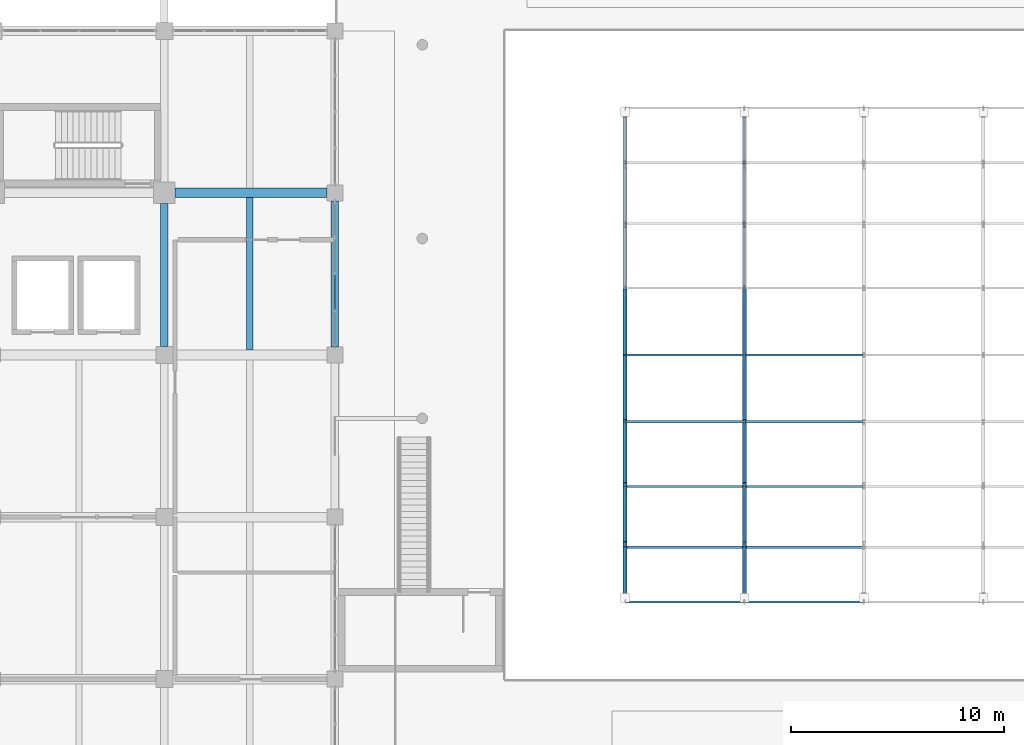
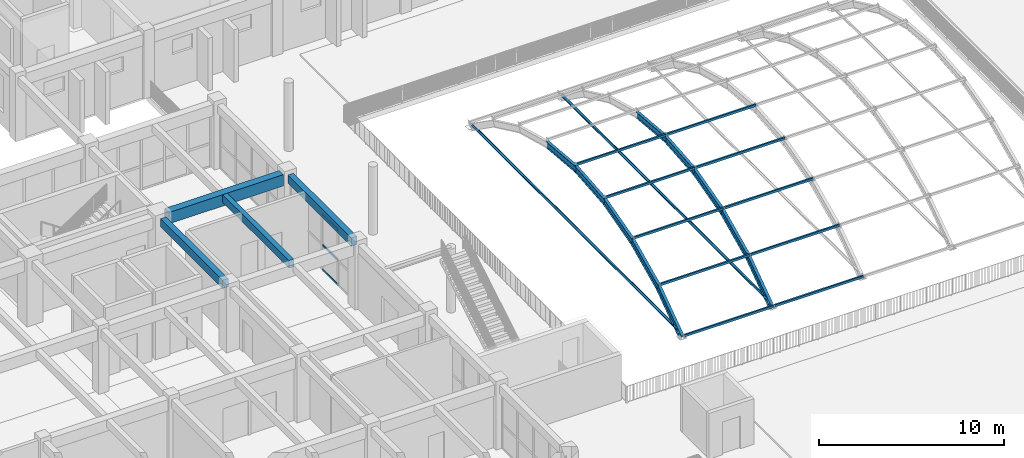
# One storey, part 37 of 79: 15 members, 14 beams, 1 element without a shape of its own.
"""IFC4 building model written with IfcOpenShell, lengths in metres."""

from ifc_helpers import new_model, si_unit, direction, frame, origin, origin_2d, place, context, subcontext, project, spatial, rectangle, hollow_rectangle, hollow_circle, i_section, extrude, material, material_profile, profile_set, type_object, element, aggregate, save


model = new_model("IFC4")

# Units and contexts
model_context = context("Model", 3, precision=1e-05, world=origin(), true_north=direction((0.0, 1.0)))
body_context = subcontext(model_context, "Body", "Model", "MODEL_VIEW")
ifc_project = project(units=[si_unit("LENGTHUNIT", "METRE"), si_unit("AREAUNIT", "SQUARE_METRE"), si_unit("VOLUMEUNIT", "CUBIC_METRE"), si_unit("PLANEANGLEUNIT", "RADIAN"), si_unit("MASSUNIT", "GRAM", prefix="KILO")], contexts=[model_context])

# Site, building, storey
site_placement = place(None, origin())
site = spatial("IfcSite", under=ifc_project, at=site_placement, CompositionType="ELEMENT")
building_placement = place(site_placement, origin())
building = spatial("IfcBuilding", under=site, at=building_placement, Name="Zantavel Square City Hall", CompositionType="ELEMENT")
storey_placement = place(building_placement, frame((0.0, 0.0, 10.199951171875)))
storey = spatial("IfcBuildingStorey", under=building, at=storey_placement, Name="L03", CompositionType="ELEMENT", Elevation=10.199951171875)

# Curtain wall, members
ifc_material_1 = material(Name="Anodised aluminium 6063-T6", Category="aluminium")
curtain_wall_type = type_object("IfcCurtainWallType", Name="Curtain Wall TRV1 6850x3670", PredefinedType="USERDEFINED", material=ifc_material_1)
curtain_wall_placement = place(storey_placement, origin())
curtain_wall = element("IfcCurtainWall", 1, at=curtain_wall_placement, inside=storey, type_object=curtain_wall_type, Name="L03 Glazed Curtain Wall CW-L03-091", ObjectType="GLAZED CURTAIN WALL", PredefinedType="USERDEFINED")
ifc_material_profile_1 = material_profile(ifc_material_1, hollow_rectangle(XDim=0.06005859375, YDim=0.139892578125, WallThickness=0.00390625, at=origin_2d()), Name="ALU 60x140x4")
ifc_profile_set_1 = profile_set([ifc_material_profile_1], Name="Anodised aluminium 6063-T6")
member_type_1 = type_object("IfcMemberType", Name="CW Transom ALU 60x140x4", PredefinedType="USERDEFINED", material=ifc_profile_set_1)
member_1_placement = place(storey_placement, frame((112.0, 56.969970703125, 0.030029296875), z_axis=(0.0, -1.0, 0.0), x_axis=(1.0, 0.0, 0.0)))
member_1 = element("IfcMember", 2, at=member_1_placement, type_object=member_type_1, Name="CW-091 transom 3.1", ObjectType="TRANSOM", PredefinedType="USERDEFINED", context=body_context, shape_type="SweptSolid", body=[
    extrude(hollow_rectangle(XDim=0.06005859375, YDim=0.139892578125, WallThickness=0.00390625, at=origin_2d()), origin(), (0.0, 0.0, 1.0), 1.652587890625),
])
member_2_placement = place(storey_placement, frame((112.0, 56.969970703125, 1.651123046875), z_axis=(0.0, -1.0, 0.0), x_axis=(1.0, 0.0, 0.0)))
member_2 = element("IfcMember", 3, at=member_2_placement, type_object=member_type_1, Name="CW-091 transom 3.2", ObjectType="TRANSOM", PredefinedType="USERDEFINED", context=body_context, shape_type="SweptSolid", body=[
    extrude(hollow_rectangle(XDim=0.06005859375, YDim=0.139892578125, WallThickness=0.00390625, at=origin_2d()), origin(), (0.0, 0.0, 1.0), 1.652587890625),
])
member_3_placement = place(storey_placement, frame((112.0, 56.969970703125, 3.64013671875), z_axis=(0.0, -1.0, 0.0), x_axis=(1.0, 0.0, 0.0)))
member_3 = element("IfcMember", 4, at=member_3_placement, type_object=member_type_1, Name="CW-091 transom 3.3", ObjectType="TRANSOM", PredefinedType="USERDEFINED", context=body_context, shape_type="SweptSolid", body=[
    extrude(hollow_rectangle(XDim=0.06005859375, YDim=0.139892578125, WallThickness=0.00390625, at=origin_2d()), origin(), (0.0, 0.0, 1.0), 1.652587890625),
])
aggregate(curtain_wall, [member_1, member_2, member_3])

# Beams
ifc_material_2 = material(Name="Concrete C35/45", Category="concrete")
ifc_material_profile_2 = material_profile(ifc_material_2, rectangle(XDim=0.300048828125, YDim=0.5, at=origin_2d()), Name="RC 300x500")
ifc_profile_set_2 = profile_set([ifc_material_profile_2], Name="Concrete C35/45")
beam_type_1 = type_object("IfcBeamType", Name="Floor Joist RC 300x500 C35/45", PredefinedType="JOIST", material=ifc_profile_set_2)
beam_1_placement = place(storey_placement, frame((108.0, 53.425048828125, 3.969970703125), z_axis=(0.0, 1.0, 0.0), x_axis=(-1.0, 0.0, 0.0)))
element("IfcBeam", 5, at=beam_1_placement, inside=storey, type_object=beam_type_1, Name="L03 Floor Joist JST-L03-1080-0532", PredefinedType="JOIST", context=body_context, shape_type="SweptSolid", body=[
    extrude(rectangle(XDim=0.300048828125, YDim=0.5, at=origin_2d()), origin(), (0.0, 0.0, 1.0), 7.14990234375),
])
ifc_material_profile_3 = material_profile(ifc_material_2, rectangle(XDim=0.449951171875, YDim=0.75, at=origin_2d()), Name="RC 450x750")
ifc_profile_set_3 = profile_set([ifc_material_profile_3], Name="Concrete C35/45")
beam_type_2 = type_object("IfcBeamType", Name="Primary Girder RC 450x750 C35/45", PredefinedType="BEAM", material=ifc_profile_set_3)
beam_2_placement = place(storey_placement, frame((104.5, 60.800048828125, 3.844970703125), z_axis=(1.0, 0.0, 0.0), x_axis=(0.0, 1.0, 0.0)))
element("IfcBeam", 6, at=beam_2_placement, inside=storey, type_object=beam_type_2, Name="L03 Girder BMX-L03-1040-0608", PredefinedType="BEAM", context=body_context, shape_type="SweptSolid", body=[
    extrude(rectangle(XDim=0.449951171875, YDim=0.75, at=origin_2d()), origin(), (0.0, 0.0, 1.0), 7.125),
])
ifc_material_profile_4 = material_profile(ifc_material_2, rectangle(XDim=0.35009765625, YDim=0.550048828125, at=origin_2d()), Name="RC 350x550")
ifc_profile_set_4 = profile_set([ifc_material_profile_4], Name="Concrete C35/45")
beam_type_3 = type_object("IfcBeamType", Name="Secondary Beam RC 350x550 C35/45", PredefinedType="BEAM", material=ifc_profile_set_4)
beam_3_placement = place(storey_placement, frame((104.0, 53.60009765625, 3.945068359375), z_axis=(0.0, 1.0, 0.0), x_axis=(-1.0, 0.0, 0.0)))
element("IfcBeam", 7, at=beam_3_placement, inside=storey, type_object=beam_type_3, Name="L03 Beam BMY-L03-1040-0532", PredefinedType="BEAM", context=body_context, shape_type="SweptSolid", body=[
    extrude(rectangle(XDim=0.35009765625, YDim=0.550048828125, at=origin_2d()), origin(), (0.0, 0.0, 1.0), 6.699951171875),
])
beam_4_placement = place(storey_placement, frame((112.0, 53.574951171875, 3.945068359375), z_axis=(0.0, 1.0, 0.0), x_axis=(-1.0, 0.0, 0.0)))
element("IfcBeam", 8, at=beam_4_placement, inside=storey, type_object=beam_type_3, Name="L03 Beam BMY-L03-1120-0532", PredefinedType="BEAM", context=body_context, shape_type="SweptSolid", body=[
    extrude(rectangle(XDim=0.35009765625, YDim=0.550048828125, at=origin_2d()), origin(), (0.0, 0.0, 1.0), 6.85009765625),
])

# Members
ifc_material_3 = material(Name="Steel ASTM A500 Grade B", Category="steel")
ifc_material_profile_5 = material_profile(ifc_material_3, hollow_circle(Radius=0.084228515625, WallThickness=0.009521484375, at=origin_2d()), Name="CHS 168.3x9.5")
ifc_profile_set_5 = profile_set([ifc_material_profile_5], Name="Steel ASTM A500 Grade B")
member_type_2 = type_object("IfcMemberType", Name="Skylight Arch Tension Tie CHS 168.3x9.5", PredefinedType="CHORD", material=ifc_profile_set_5)
for number, where, z_axis, x_axis, name in (
    (9, (125.60009765625, 42.050048828125, 0.280029296875), (0.0, 1.0, 0.0), (-1.0, 0.0, 0.0), "Skylight Rib 1 Tie"),
    (10, (131.199951171875, 42.050048828125, 0.280029296875), (0.0, 1.0, 0.0), (-1.0, 0.0, 0.0), "Skylight Rib 2 Tie"),
):
    element("IfcMember", number, at=place(storey_placement, frame(where, z_axis=z_axis, x_axis=x_axis)), inside=storey, type_object=member_type_2, Name=name, PredefinedType="CHORD", context=body_context, shape_type="SweptSolid", body=[
        extrude(hollow_circle(Radius=0.084228515625, WallThickness=0.009521484375, at=origin_2d()), origin(), (0.0, 0.0, 1.0), 22.300048828125),
    ])

# Beams
ifc_material_4 = material(Name="Steel ASTM A992 Grade 50", Category="steel")
ifc_material_profile_6 = material_profile(ifc_material_4, i_section(OverallWidth=0.178955078125, OverallDepth=0.409912109375, WebThickness=0.0087890625, FlangeThickness=0.014404296875, at=origin_2d()), Name="W410x67")
ifc_profile_set_6 = profile_set([ifc_material_profile_6], Name="Steel ASTM A992 Grade 50")
beam_type_4 = type_object("IfcBeamType", Name="Skylight End Rib W410x67", PredefinedType="BEAM", material=ifc_profile_set_6)
beam_5_placement = place(storey_placement, frame((125.60009765625, 41.800048828125, 0.0), z_axis=(0.0, 0.815190202113, 0.57919334801), x_axis=(-1.0, 0.0, 0.0)))
element("IfcBeam", 11, at=beam_5_placement, inside=storey, type_object=beam_type_4, Name="Skylight Rib 1 Chord 1", PredefinedType="BEAM", context=body_context, shape_type="SweptSolid", body=[
    extrude(i_section(OverallWidth=0.178955078125, OverallDepth=0.409912109375, WebThickness=0.0087890625, FlangeThickness=0.014404296875, at=origin_2d()), origin(), (0.0, 0.0, 1.0), 3.097412109375),
])
for number, where, z_axis, x_axis, name in (
    (12, (125.60009765625, 44.324951171875, 1.7939453125), (0.0, 0.904213980184, 0.427079709235), (-1.0, 0.0, 0.0), "Skylight Rib 1 Chord 2"),
    (13, (125.60009765625, 47.12548828125, 3.11669921875), (0.0, 0.965168334926, 0.261629671972), (-1.0, 0.0, 0.0), "Skylight Rib 1 Chord 3"),
    (14, (125.60009765625, 50.11474609375, 3.927001953125), (0.0, 0.996109321707, 0.088126155074), (-1.0, 0.0, 0.0), "Skylight Rib 1 Chord 4"),
    (15, (125.60009765625, 53.199951171875, 4.199951171875), (0.0, 0.996109321707, -0.088126155074), (-1.0, 0.0, 0.0), "Skylight Rib 1 Chord 5"),
):
    element("IfcBeam", number, at=place(storey_placement, frame(where, z_axis=z_axis, x_axis=x_axis)), inside=storey, type_object=beam_type_4, Name=name, PredefinedType="BEAM", context=body_context, shape_type="SweptSolid", body=[
        extrude(i_section(OverallWidth=0.178955078125, OverallDepth=0.409912109375, WebThickness=0.0087890625, FlangeThickness=0.014404296875, at=origin_2d()), origin(), (0.0, 0.0, 1.0), 3.09716796875),
    ])

# Members
ifc_material_profile_7 = material_profile(ifc_material_3, hollow_rectangle(XDim=0.10205078125, YDim=0.152099609375, WallThickness=0.008056640625, at=origin_2d()), Name="HSS 152x102x8.0")
ifc_profile_set_7 = profile_set([ifc_material_profile_7], Name="Steel ASTM A500 Grade B")
member_type_3 = type_object("IfcMemberType", Name="Skylight HSS Purlin 152x102x8.0", PredefinedType="PURLIN", material=ifc_profile_set_7)
for number, where, z_axis, x_axis, name in (
    (16, (125.6201171875, 41.620361328125, 0.2109375), (1.0, 0.0, 0.0), (0.0, 1.0, 0.0), "Skylight Bay 1 Purlin 1"),
    (17, (125.6201171875, 44.184814453125, 2.032958984375), (1.0, 0.0, 0.0), (0.0, 1.0, 0.0), "Skylight Bay 1 Purlin 2"),
    (18, (125.6201171875, 47.02978515625, 3.37646484375), (1.0, 0.0, 0.0), (0.0, 1.0, 0.0), "Skylight Bay 1 Purlin 3"),
    (19, (125.6201171875, 50.066162109375, 4.19970703125), (1.0, 0.0, 0.0), (0.0, 1.0, 0.0), "Skylight Bay 1 Purlin 4"),
    (20, (125.6201171875, 53.199951171875, 4.47705078125), (1.0, 0.0, 0.0), (0.0, 1.0, 0.0), "Skylight Bay 1 Purlin 5"),
):
    element("IfcMember", number, at=place(storey_placement, frame(where, z_axis=z_axis, x_axis=x_axis)), inside=storey, type_object=member_type_3, Name=name, PredefinedType="PURLIN", context=body_context, shape_type="SweptSolid", body=[
        extrude(hollow_rectangle(XDim=0.10205078125, YDim=0.152099609375, WallThickness=0.008056640625, at=origin_2d()), origin(), (0.0, 0.0, 1.0), 5.559814453125),
    ])
for number, where, z_axis, x_axis, name in (
    (21, (131.219970703125, 41.620361328125, 0.2109375), (1.0, 0.0, 0.0), (0.0, 1.0, 0.0), "Skylight Bay 2 Purlin 1"),
    (22, (131.219970703125, 44.184814453125, 2.032958984375), (1.0, 0.0, 0.0), (0.0, 1.0, 0.0), "Skylight Bay 2 Purlin 2"),
    (23, (131.219970703125, 47.02978515625, 3.37646484375), (1.0, 0.0, 0.0), (0.0, 1.0, 0.0), "Skylight Bay 2 Purlin 3"),
    (24, (131.219970703125, 50.066162109375, 4.19970703125), (1.0, 0.0, 0.0), (0.0, 1.0, 0.0), "Skylight Bay 2 Purlin 4"),
    (25, (131.219970703125, 53.199951171875, 4.47705078125), (1.0, 0.0, 0.0), (0.0, 1.0, 0.0), "Skylight Bay 2 Purlin 5"),
):
    element("IfcMember", number, at=place(storey_placement, frame(where, z_axis=z_axis, x_axis=x_axis)), inside=storey, type_object=member_type_3, Name=name, PredefinedType="PURLIN", context=body_context, shape_type="SweptSolid", body=[
        extrude(hollow_rectangle(XDim=0.10205078125, YDim=0.152099609375, WallThickness=0.008056640625, at=origin_2d()), origin(), (0.0, 0.0, 1.0), 5.56005859375),
    ])

# Beams
ifc_material_profile_8 = material_profile(ifc_material_4, i_section(OverallWidth=0.177001953125, OverallDepth=0.403076171875, WebThickness=0.007568359375, FlangeThickness=0.010986328125, at=origin_2d()), Name="W410x53")
ifc_profile_set_8 = profile_set([ifc_material_profile_8], Name="Steel ASTM A992 Grade 50")
beam_type_5 = type_object("IfcBeamType", Name="Skylight Intermediate Rib W410x53", PredefinedType="BEAM", material=ifc_profile_set_8)
beam_6_placement = place(storey_placement, frame((131.199951171875, 41.800048828125, 0.0), z_axis=(0.0, 0.815190202113, 0.57919334801), x_axis=(-1.0, 0.0, 0.0)))
element("IfcBeam", 26, at=beam_6_placement, inside=storey, type_object=beam_type_5, Name="Skylight Rib 2 Chord 1", PredefinedType="BEAM", context=body_context, shape_type="SweptSolid", body=[
    extrude(i_section(OverallWidth=0.177001953125, OverallDepth=0.403076171875, WebThickness=0.007568359375, FlangeThickness=0.010986328125, at=origin_2d()), origin(), (0.0, 0.0, 1.0), 3.097412109375),
])
for number, where, z_axis, x_axis, name in (
    (27, (131.199951171875, 44.324951171875, 1.7939453125), (0.0, 0.904213980184, 0.427079709235), (-1.0, 0.0, 0.0), "Skylight Rib 2 Chord 2"),
    (28, (131.199951171875, 47.12548828125, 3.11669921875), (0.0, 0.965168334926, 0.261629671972), (-1.0, 0.0, 0.0), "Skylight Rib 2 Chord 3"),
    (29, (131.199951171875, 50.11474609375, 3.927001953125), (0.0, 0.996109321707, 0.088126155074), (-1.0, 0.0, 0.0), "Skylight Rib 2 Chord 4"),
    (30, (131.199951171875, 53.199951171875, 4.199951171875), (0.0, 0.996109321707, -0.088126155074), (-1.0, 0.0, 0.0), "Skylight Rib 2 Chord 5"),
):
    element("IfcBeam", number, at=place(storey_placement, frame(where, z_axis=z_axis, x_axis=x_axis)), inside=storey, type_object=beam_type_5, Name=name, PredefinedType="BEAM", context=body_context, shape_type="SweptSolid", body=[
        extrude(i_section(OverallWidth=0.177001953125, OverallDepth=0.403076171875, WebThickness=0.007568359375, FlangeThickness=0.010986328125, at=origin_2d()), origin(), (0.0, 0.0, 1.0), 3.09716796875),
    ])

save(model, "model.ifc")
